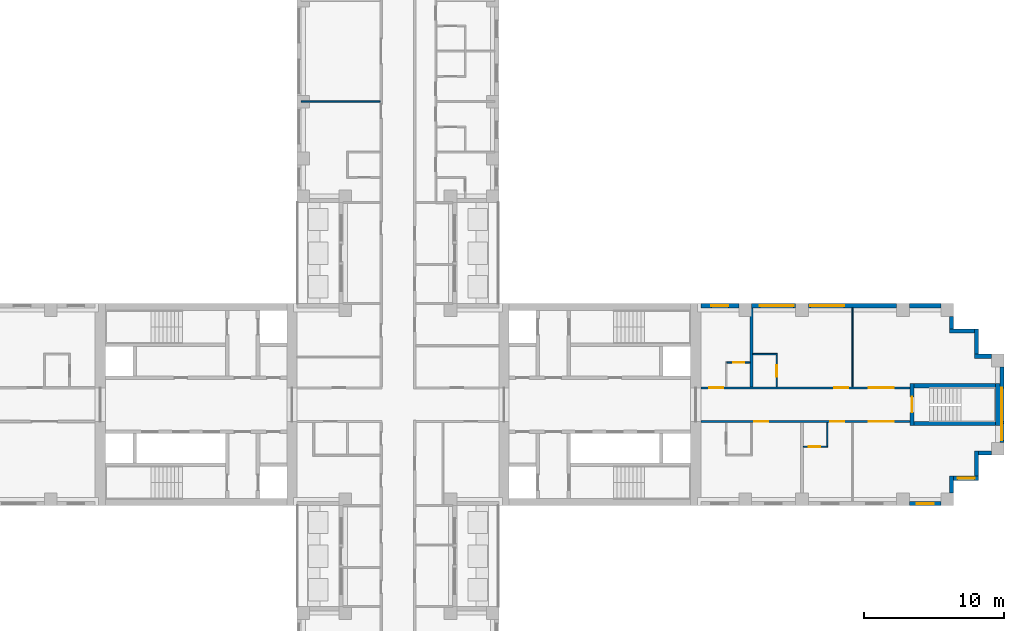
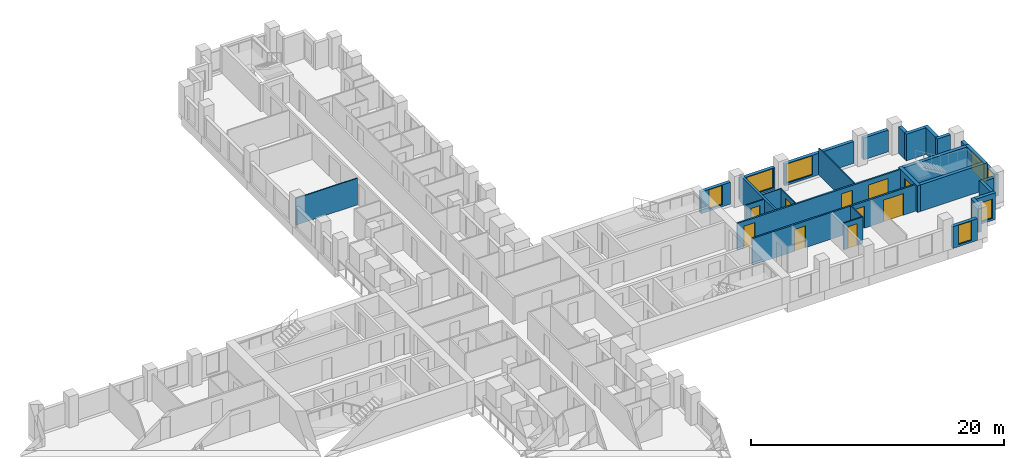
# One storey, part 10 of 15: 28 walls, 10 doors, 7 windows, 17 openings.
"""IFC4 building model written with IfcOpenShell, lengths in metres."""

from ifc_helpers import new_model, si_unit, direction, frame, frame_2d, origin, place, context, subcontext, project, spatial, rectangle, extrude, material, layer, layer_set, type_object, element, fill, save


model = new_model("IFC4")

# Units and contexts
model_context = context("Model", 3, precision=1e-05, world=origin(), true_north=direction((0.0, 1.0)))
body_context = subcontext(model_context, "Body", "Model", "MODEL_VIEW")
ifc_project = project(units=[si_unit("LENGTHUNIT", "METRE"), si_unit("AREAUNIT", "SQUARE_METRE"), si_unit("VOLUMEUNIT", "CUBIC_METRE"), si_unit("PLANEANGLEUNIT", "RADIAN"), si_unit("MASSUNIT", "GRAM", prefix="KILO")], contexts=[model_context])

# Site, building, storey
site_placement = place(None, origin())
site = spatial("IfcSite", under=ifc_project, at=site_placement, CompositionType="ELEMENT")
building_placement = place(site_placement, origin())
building = spatial("IfcBuilding", under=site, at=building_placement, Name="Fustian Cross Tower", CompositionType="ELEMENT")
storey_placement = place(building_placement, frame((0.0, 0.0, 35.699951171875)))
storey = spatial("IfcBuildingStorey", under=building, at=storey_placement, Name="L10", CompositionType="ELEMENT", Elevation=35.699951171875)

# Wall, openings, doors
ifc_material_1 = material(Name="Plasterboard on steel stud", Category="steel")
ifc_layer_1 = layer(ifc_material_1, 0.14990234375)
ifc_layer_set_1 = layer_set([ifc_layer_1], Name="Plasterboard on steel stud")
wall_type_1 = type_object("IfcWallType", Name="COMPARTMENT WALL 150 EI 60", PredefinedType="PARTITIONING", material=ifc_layer_set_1)
wall_1_placement = place(storey_placement, frame((21.60009765625, -1.199951171875, 0.0), z_axis=(0.0, 0.0, 1.0), x_axis=(1.0, 0.0, 0.0)))
wall_1 = element("IfcWall", 1, at=wall_1_placement, inside=storey, type_object=wall_type_1, Name="Partition 80", PredefinedType="PARTITIONING", context=body_context, shape_type="SweptSolid", body=[
    extrude(rectangle(XDim=14.89990234375, YDim=0.14990234375, at=frame_2d((7.449951171875, 0.0))), origin(), (0.0, 0.0, 1.0), 2.574951171875),
])
opening_1_placement = place(wall_1_placement, frame((3.800048828125, 0.0, 0.0)))
opening_1 = element("IfcOpeningElement", 2, at=opening_1_placement, cuts=wall_1, Name="Opening D07016", PredefinedType="OPENING", context=body_context, shape_type="SweptSolid", body=[
    extrude(rectangle(XDim=1.0, YDim=2.10009765625, at=frame_2d((0.5, 1.050048828125))), frame((0.0, 0.0849609375, 0.0), z_axis=(0.0, -1.0, 0.0), x_axis=(1.0, 0.0, 0.0)), (0.0, 0.0, 1.0), 0.169921875),
])
opening_2_placement = place(wall_1_placement, frame((9.199951171875, 0.0, 0.0)))
opening_2 = element("IfcOpeningElement", 3, at=opening_2_placement, cuts=wall_1, Name="Opening D07018", PredefinedType="OPENING", context=body_context, shape_type="SweptSolid", body=[
    extrude(rectangle(XDim=1.0, YDim=2.10009765625, at=frame_2d((0.5, 1.050048828125))), frame((0.0, 0.0849609375, 0.0), z_axis=(0.0, -1.0, 0.0), x_axis=(1.0, 0.0, 0.0)), (0.0, 0.0, 1.0), 0.169921875),
])
opening_3_placement = place(wall_1_placement, frame((11.949951171875, 0.0, 0.0)))
opening_3 = element("IfcOpeningElement", 4, at=opening_3_placement, cuts=wall_1, Name="Opening D07019", PredefinedType="OPENING", context=body_context, shape_type="SweptSolid", body=[
    extrude(rectangle(XDim=1.800048828125, YDim=2.10009765625, at=frame_2d((0.89990234375, 1.050048828125))), frame((0.0, 0.0849609375, 0.0), z_axis=(0.0, -1.0, 0.0), x_axis=(1.0, 0.0, 0.0)), (0.0, 0.0, 1.0), 0.169921875),
])
ifc_material_2 = material(Name="Timber fire door set", Category="wood")
door_type_1 = type_object("IfcDoorType", Name="FIRE DOUBLE DOOR 1800 FD30S", OperationType="DOUBLE_DOOR_DOUBLE_SWING", PredefinedType="DOOR", material=ifc_material_2)
door_1_placement = place(opening_3_placement, origin())
door_1 = element("IfcDoor", 5, at=door_1_placement, inside=storey, type_object=door_type_1, Name="Door D07019", OperationType="DOUBLE_DOOR_DOUBLE_SWING", OverallHeight=2.10009765625, OverallWidth=1.800048828125, PredefinedType="DOOR", context=body_context, shape_type="SweptSolid", body=[
    extrude(rectangle(XDim=1.800048828125, YDim=2.10009765625, at=frame_2d((0.89990234375, 1.050048828125))), frame((0.0, 0.02490234375, 0.0), z_axis=(0.0, -1.0, 0.0), x_axis=(1.0, 0.0, 0.0)), (0.0, 0.0, 1.0), 0.050048828125),
])
fill(opening_3, door_1)
ifc_material_3 = material(Name="Timber fire door set", Category="wood")
door_type_2 = type_object("IfcDoorType", Name="FIRE SWING DOOR 1000 FD30S", OperationType="SINGLE_SWING_LEFT", PredefinedType="DOOR", material=ifc_material_3)
door_2_placement = place(opening_1_placement, frame((1.0, 0.0, 0.0), z_axis=(0.0, 0.0, 1.0), x_axis=(-1.0, 0.0, 0.0)))
door_2 = element("IfcDoor", 6, at=door_2_placement, inside=storey, type_object=door_type_2, Name="Door D07016", OperationType="SINGLE_SWING_RIGHT", OverallHeight=2.10009765625, OverallWidth=1.0, PredefinedType="DOOR", context=body_context, shape_type="SweptSolid", body=[
    extrude(rectangle(XDim=1.0, YDim=2.10009765625, at=frame_2d((0.5, 1.050048828125))), frame((0.0, 0.02490234375, 0.0), z_axis=(0.0, -1.0, 0.0), x_axis=(1.0, 0.0, 0.0)), (0.0, 0.0, 1.0), 0.050048828125),
])
fill(opening_1, door_2)
door_3_placement = place(opening_2_placement, frame((1.0, 0.0, 0.0), z_axis=(0.0, 0.0, 1.0), x_axis=(-1.0, 0.0, 0.0)))
door_3 = element("IfcDoor", 7, at=door_3_placement, inside=storey, type_object=door_type_2, Name="Door D07018", OperationType="SINGLE_SWING_RIGHT", OverallHeight=2.10009765625, OverallWidth=1.0, PredefinedType="DOOR", context=body_context, shape_type="SweptSolid", body=[
    extrude(rectangle(XDim=1.0, YDim=2.10009765625, at=frame_2d((0.5, 1.050048828125))), frame((0.0, 0.02490234375, 0.0), z_axis=(0.0, -1.0, 0.0), x_axis=(1.0, 0.0, 0.0)), (0.0, 0.0, 1.0), 0.050048828125),
])
fill(opening_2, door_3)

wall_2_placement = place(storey_placement, frame((21.60009765625, 1.199951171875, 0.0), z_axis=(0.0, 0.0, 1.0), x_axis=(1.0, 0.0, 0.0)))
wall_2 = element("IfcWall", 8, at=wall_2_placement, inside=storey, type_object=wall_type_1, Name="Partition 81", PredefinedType="PARTITIONING", context=body_context, shape_type="SweptSolid", body=[
    extrude(rectangle(XDim=14.89990234375, YDim=0.14990234375, at=frame_2d((7.449951171875, 0.0))), origin(), (0.0, 0.0, 1.0), 2.574951171875),
])
opening_4_placement = place(wall_2_placement, frame((0.60009765625, 0.0, 0.0)))
opening_4 = element("IfcOpeningElement", 9, at=opening_4_placement, cuts=wall_2, Name="Opening D07011", PredefinedType="OPENING", context=body_context, shape_type="SweptSolid", body=[
    extrude(rectangle(XDim=1.0, YDim=2.10009765625, at=frame_2d((0.5, 1.050048828125))), frame((0.0, 0.0849609375, 0.0), z_axis=(0.0, -1.0, 0.0), x_axis=(1.0, 0.0, 0.0)), (0.0, 0.0, 1.0), 0.169921875),
])
opening_5_placement = place(wall_2_placement, frame((9.489990234375, 0.0, 0.0)))
opening_5 = element("IfcOpeningElement", 10, at=opening_5_placement, cuts=wall_2, Name="Opening D07013", PredefinedType="OPENING", context=body_context, shape_type="SweptSolid", body=[
    extrude(rectangle(XDim=1.0, YDim=2.10009765625, at=frame_2d((0.5, 1.050048828125))), frame((0.0, 0.0849609375, 0.0), z_axis=(0.0, -1.0, 0.0), x_axis=(1.0, 0.0, 0.0)), (0.0, 0.0, 1.0), 0.169921875),
])
opening_6_placement = place(wall_2_placement, frame((11.949951171875, 0.0, 0.0)))
opening_6 = element("IfcOpeningElement", 11, at=opening_6_placement, cuts=wall_2, Name="Opening D07014", PredefinedType="OPENING", context=body_context, shape_type="SweptSolid", body=[
    extrude(rectangle(XDim=1.800048828125, YDim=2.10009765625, at=frame_2d((0.89990234375, 1.050048828125))), frame((0.0, 0.0849609375, 0.0), z_axis=(0.0, -1.0, 0.0), x_axis=(1.0, 0.0, 0.0)), (0.0, 0.0, 1.0), 0.169921875),
])
door_4_placement = place(opening_6_placement, frame((1.800048828125, 0.0, 0.0), z_axis=(0.0, 0.0, 1.0), x_axis=(-1.0, 0.0, 0.0)))
door_4 = element("IfcDoor", 12, at=door_4_placement, inside=storey, type_object=door_type_1, Name="Door D07014", OperationType="DOUBLE_DOOR_DOUBLE_SWING", OverallHeight=2.10009765625, OverallWidth=1.800048828125, PredefinedType="DOOR", context=body_context, shape_type="SweptSolid", body=[
    extrude(rectangle(XDim=1.800048828125, YDim=2.10009765625, at=frame_2d((0.89990234375, 1.050048828125))), frame((0.0, 0.02490234375, 0.0), z_axis=(0.0, -1.0, 0.0), x_axis=(1.0, 0.0, 0.0)), (0.0, 0.0, 1.0), 0.050048828125),
])
fill(opening_6, door_4)
door_5_placement = place(opening_4_placement, origin())
door_5 = element("IfcDoor", 13, at=door_5_placement, inside=storey, type_object=door_type_2, Name="Door D07011", OperationType="SINGLE_SWING_RIGHT", OverallHeight=2.10009765625, OverallWidth=1.0, PredefinedType="DOOR", context=body_context, shape_type="SweptSolid", body=[
    extrude(rectangle(XDim=1.0, YDim=2.10009765625, at=frame_2d((0.5, 1.050048828125))), frame((0.0, 0.02490234375, 0.0), z_axis=(0.0, -1.0, 0.0), x_axis=(1.0, 0.0, 0.0)), (0.0, 0.0, 1.0), 0.050048828125),
])
fill(opening_4, door_5)
door_6_placement = place(opening_5_placement, origin())
door_6 = element("IfcDoor", 14, at=door_6_placement, inside=storey, type_object=door_type_2, Name="Door D07013", OperationType="SINGLE_SWING_RIGHT", OverallHeight=2.10009765625, OverallWidth=1.0, PredefinedType="DOOR", context=body_context, shape_type="SweptSolid", body=[
    extrude(rectangle(XDim=1.0, YDim=2.10009765625, at=frame_2d((0.5, 1.050048828125))), frame((0.0, 0.02490234375, 0.0), z_axis=(0.0, -1.0, 0.0), x_axis=(1.0, 0.0, 0.0)), (0.0, 0.0, 1.0), 0.050048828125),
])
fill(opening_5, door_6)

# Wall
ifc_material_4 = material(Name="Plasterboard on steel stud", Category="steel")
ifc_layer_2 = layer(ifc_material_4, 0.10009765625)
ifc_layer_set_2 = layer_set([ifc_layer_2], Name="Plasterboard on steel stud")
wall_type_2 = type_object("IfcWallType", Name="PARTITION 100 STUD", PredefinedType="PARTITIONING", material=ifc_layer_set_2)
wall_3_placement = place(storey_placement, frame((-6.89990234375, 21.60009765625, 0.0), z_axis=(0.0, 0.0, 1.0), x_axis=(1.0, 0.0, 0.0)))
element("IfcWall", 15, at=wall_3_placement, inside=storey, type_object=wall_type_2, Name="Partition 19", PredefinedType="PARTITIONING", context=body_context, shape_type="SweptSolid", body=[
    extrude(rectangle(XDim=5.625, YDim=0.10009765625, at=frame_2d((2.8125, 0.0))), origin(), (0.0, 0.0, 1.0), 2.574951171875),
])

# Wall, opening, door
wall_4_placement = place(storey_placement, frame((23.449951171875, 3.0, 0.0), z_axis=(0.0, 0.0, 1.0), x_axis=(1.0, 0.0, 0.0)))
wall_4 = element("IfcWall", 16, at=wall_4_placement, inside=storey, type_object=wall_type_2, Name="Partition 85", PredefinedType="PARTITIONING", context=body_context, shape_type="SweptSolid", body=[
    extrude(rectangle(XDim=1.650146484375, YDim=0.10009765625, at=frame_2d((0.8251953125, 0.0))), origin(), (0.0, 0.0, 1.0), 2.574951171875),
])
opening_7_placement = place(wall_4_placement, frame((0.449951171875, 0.0, 0.0)))
opening_7 = element("IfcOpeningElement", 17, at=opening_7_placement, cuts=wall_4, Name="Opening D07010", PredefinedType="OPENING", context=body_context, shape_type="SweptSolid", body=[
    extrude(rectangle(XDim=0.800048828125, YDim=2.10009765625, at=frame_2d((0.39990234375, 1.050048828125))), frame((0.0, 0.06005859375, 0.0), z_axis=(0.0, -1.0, 0.0), x_axis=(1.0, 0.0, 0.0)), (0.0, 0.0, 1.0), 0.1201171875),
])
ifc_material_5 = material(Name="Painted timber", Category="wood")
door_type_3 = type_object("IfcDoorType", Name="SWING DOOR 800", OperationType="SINGLE_SWING_LEFT", PredefinedType="DOOR", material=ifc_material_5)
door_7_placement = place(opening_7_placement, frame((0.800048828125, 0.0, 0.0), z_axis=(0.0, 0.0, 1.0), x_axis=(-1.0, 0.0, 0.0)))
door_7 = element("IfcDoor", 18, at=door_7_placement, inside=storey, type_object=door_type_3, Name="Door D07010", OperationType="SINGLE_SWING_LEFT", OverallHeight=2.10009765625, OverallWidth=0.800048828125, PredefinedType="DOOR", context=body_context, shape_type="SweptSolid", body=[
    extrude(rectangle(XDim=0.800048828125, YDim=2.10009765625, at=frame_2d((0.39990234375, 1.050048828125))), frame((0.0, 0.02490234375, 0.0), z_axis=(0.0, -1.0, 0.0), x_axis=(1.0, 0.0, 0.0)), (0.0, 0.0, 1.0), 0.050048828125),
])
fill(opening_7, door_7)

# Wall
wall_5_placement = place(storey_placement, frame((25.300048828125, 3.60009765625, 0.0), z_axis=(0.0, 0.0, 1.0), x_axis=(1.0, 0.0, 0.0)))
element("IfcWall", 19, at=wall_5_placement, inside=storey, type_object=wall_type_2, Name="Partition 88", PredefinedType="PARTITIONING", context=body_context, shape_type="SweptSolid", body=[
    extrude(rectangle(XDim=1.75, YDim=0.10009765625, at=frame_2d((0.875, 0.0))), origin(), (0.0, 0.0, 1.0), 2.574951171875),
])

# Wall, opening, door
wall_6_placement = place(storey_placement, frame((27.0, 1.27490234375, 0.0), z_axis=(0.0, 0.0, 1.0), x_axis=(0.0, 1.0, 0.0)))
wall_6 = element("IfcWall", 20, at=wall_6_placement, inside=storey, type_object=wall_type_2, Name="Partition 89", PredefinedType="PARTITIONING", context=body_context, shape_type="SweptSolid", body=[
    extrude(rectangle(XDim=2.275146484375, YDim=0.10009765625, at=frame_2d((1.1376953125, 0.0))), origin(), (0.0, 0.0, 1.0), 2.574951171875),
])
opening_8_placement = place(wall_6_placement, frame((0.72509765625, 0.0, 0.0)))
opening_8 = element("IfcOpeningElement", 21, at=opening_8_placement, cuts=wall_6, Name="Opening D07012", PredefinedType="OPENING", context=body_context, shape_type="SweptSolid", body=[
    extrude(rectangle(XDim=0.800048828125, YDim=2.10009765625, at=frame_2d((0.39990234375, 1.050048828125))), frame((0.0, 0.06005859375, 0.0), z_axis=(0.0, -1.0, 0.0), x_axis=(1.0, 0.0, 0.0)), (0.0, 0.0, 1.0), 0.1201171875),
])
door_8_placement = place(opening_8_placement, origin())
door_8 = element("IfcDoor", 22, at=door_8_placement, inside=storey, type_object=door_type_3, Name="Door D07012", OperationType="SINGLE_SWING_LEFT", OverallHeight=2.10009765625, OverallWidth=0.800048828125, PredefinedType="DOOR", context=body_context, shape_type="SweptSolid", body=[
    extrude(rectangle(XDim=0.800048828125, YDim=2.10009765625, at=frame_2d((0.39990234375, 1.050048828125))), frame((0.0, 0.02490234375, 0.0), z_axis=(0.0, -1.0, 0.0), x_axis=(1.0, 0.0, 0.0)), (0.0, 0.0, 1.0), 0.050048828125),
])
fill(opening_8, door_8)

wall_7_placement = place(storey_placement, frame((28.89990234375, -3.0, 0.0), z_axis=(0.0, 0.0, 1.0), x_axis=(1.0, 0.0, 0.0)))
wall_7 = element("IfcWall", 23, at=wall_7_placement, inside=storey, type_object=wall_type_2, Name="Partition 91", PredefinedType="PARTITIONING", context=body_context, shape_type="SweptSolid", body=[
    extrude(rectangle(XDim=1.75, YDim=0.10009765625, at=frame_2d((0.875, 0.0))), origin(), (0.0, 0.0, 1.0), 2.574951171875),
])
opening_9_placement = place(wall_7_placement, frame((0.39990234375, 0.0, 0.0)))
opening_9 = element("IfcOpeningElement", 24, at=opening_9_placement, cuts=wall_7, Name="Opening D07017", PredefinedType="OPENING", context=body_context, shape_type="SweptSolid", body=[
    extrude(rectangle(XDim=0.800048828125, YDim=2.10009765625, at=frame_2d((0.39990234375, 1.050048828125))), frame((0.0, 0.06005859375, 0.0), z_axis=(0.0, -1.0, 0.0), x_axis=(1.0, 0.0, 0.0)), (0.0, 0.0, 1.0), 0.1201171875),
])
door_9_placement = place(opening_9_placement, origin())
door_9 = element("IfcDoor", 25, at=door_9_placement, inside=storey, type_object=door_type_3, Name="Door D07017", OperationType="SINGLE_SWING_RIGHT", OverallHeight=2.10009765625, OverallWidth=0.800048828125, PredefinedType="DOOR", context=body_context, shape_type="SweptSolid", body=[
    extrude(rectangle(XDim=0.800048828125, YDim=2.10009765625, at=frame_2d((0.39990234375, 1.050048828125))), frame((0.0, 0.02490234375, 0.0), z_axis=(0.0, -1.0, 0.0), x_axis=(1.0, 0.0, 0.0)), (0.0, 0.0, 1.0), 0.050048828125),
])
fill(opening_9, door_9)

# Walls
wall_8_placement = place(storey_placement, frame((30.60009765625, -2.949951171875, 0.0), z_axis=(0.0, 0.0, 1.0), x_axis=(0.0, 1.0, 0.0)))
element("IfcWall", 26, at=wall_8_placement, inside=storey, type_object=wall_type_2, Name="Partition 92", PredefinedType="PARTITIONING", context=body_context, shape_type="SweptSolid", body=[
    extrude(rectangle(XDim=1.675048828125, YDim=0.10009765625, at=frame_2d((0.83740234375, 0.0))), origin(), (0.0, 0.0, 1.0), 2.574951171875),
])
wall_9_placement = place(storey_placement, frame((32.39990234375, 1.27490234375, 0.0), z_axis=(0.0, 0.0, 1.0), x_axis=(0.0, 1.0, 0.0)))
element("IfcWall", 27, at=wall_9_placement, inside=storey, type_object=wall_type_2, Name="Partition 94", PredefinedType="PARTITIONING", context=body_context, shape_type="SweptSolid", body=[
    extrude(rectangle(XDim=5.625, YDim=0.10009765625, at=frame_2d((2.8125, 0.0))), origin(), (0.0, 0.0, 1.0), 2.574951171875),
])
ifc_material_6 = material(Name="Plasterboard on steel stud", Category="steel")
ifc_layer_3 = layer(ifc_material_6, 0.199951171875)
ifc_layer_set_3 = layer_set([ifc_layer_3], Name="Plasterboard on steel stud")
wall_type_3 = type_object("IfcWallType", Name="PARTY WALL 200 EI 60", PredefinedType="PARTITIONING", material=ifc_layer_set_3)
wall_10_placement = place(storey_placement, frame((25.199951171875, 1.27490234375, 0.0), z_axis=(0.0, 0.0, 1.0), x_axis=(0.0, 1.0, 0.0)))
element("IfcWall", 28, at=wall_10_placement, inside=storey, type_object=wall_type_3, Name="Partition 87", PredefinedType="PARTITIONING", context=body_context, shape_type="SweptSolid", body=[
    extrude(rectangle(XDim=5.625, YDim=0.199951171875, at=frame_2d((2.8125, 0.0))), origin(), (0.0, 0.0, 1.0), 2.574951171875),
])

# Wall, opening, door
ifc_material_7 = material(Name="Concrete C50/60", Category="concrete")
ifc_layer_4 = layer(ifc_material_7, 0.300048828125)
ifc_layer_set_4 = layer_set([ifc_layer_4], Name="Concrete C50/60")
wall_type_4 = type_object("IfcWallType", Name="STAIR ENCLOSURE WALL 300 C50/60", PredefinedType="SHEAR", material=ifc_layer_set_4)
wall_11_placement = place(storey_placement, frame((36.64990234375, -1.5, 0.0), z_axis=(0.0, 0.0, 1.0), x_axis=(0.0, 1.0, 0.0)))
wall_11 = element("IfcWall", 29, at=wall_11_placement, inside=storey, type_object=wall_type_4, Name="Stair enclosure wall", PredefinedType="SHEAR", context=body_context, shape_type="SweptSolid", body=[
    extrude(rectangle(XDim=3.0, YDim=0.300048828125, at=frame_2d((1.5, 0.0))), origin(), (0.0, 0.0, 1.0), 2.574951171875),
])
opening_10_placement = place(wall_11_placement, frame((0.949951171875, 0.0, 0.0)))
opening_10 = element("IfcOpeningElement", 30, at=opening_10_placement, cuts=wall_11, Name="Opening CD-04-31", PredefinedType="OPENING", context=body_context, shape_type="SweptSolid", body=[
    extrude(rectangle(XDim=1.10009765625, YDim=2.10009765625, at=frame_2d((0.550048828125, 1.050048828125))), frame((0.0, 0.159912109375, 0.0), z_axis=(0.0, -1.0, 0.0), x_axis=(1.0, 0.0, 0.0)), (0.0, 0.0, 1.0), 0.320068359375),
])
ifc_material_8 = material(Name="Steel", Category="steel")
door_type_4 = type_object("IfcDoorType", Name="FIRE DOOR FD60S 1100X2100", OperationType="SINGLE_SWING_LEFT", PredefinedType="DOOR", material=ifc_material_8)
door_10_placement = place(opening_10_placement, frame((1.10009765625, 0.0, 0.0), z_axis=(0.0, 0.0, 1.0), x_axis=(-1.0, 0.0, 0.0)))
door_10 = element("IfcDoor", 31, at=door_10_placement, inside=storey, type_object=door_type_4, Name="Core door CD-04-31", OperationType="SINGLE_SWING_RIGHT", OverallHeight=2.10009765625, OverallWidth=1.10009765625, PredefinedType="DOOR", context=body_context, shape_type="SweptSolid", body=[
    extrude(rectangle(XDim=1.10009765625, YDim=2.10009765625, at=frame_2d((0.550048828125, 1.050048828125))), frame((0.0, 0.02490234375, 0.0), z_axis=(0.0, -1.0, 0.0), x_axis=(1.0, 0.0, 0.0)), (0.0, 0.0, 1.0), 0.050048828125),
])
fill(opening_10, door_10)

# Walls
wall_12_placement = place(storey_placement, frame((42.75, -1.5, 0.0), z_axis=(0.0, 0.0, 1.0), x_axis=(0.0, 1.0, 0.0)))
element("IfcWall", 32, at=wall_12_placement, inside=storey, type_object=wall_type_4, Name="Stair enclosure wall", PredefinedType="SHEAR", context=body_context, shape_type="SweptSolid", body=[
    extrude(rectangle(XDim=3.0, YDim=0.300048828125, at=frame_2d((1.5, 0.0))), origin(), (0.0, 0.0, 1.0), 2.574951171875),
])
for number, where, z_axis, x_axis, name in (
    (33, (36.800048828125, -1.35009765625, 0.0), (0.0, 0.0, 1.0), (1.0, 0.0, 0.0), "Stair enclosure wall"),
    (34, (36.800048828125, 1.35009765625, 0.0), (0.0, 0.0, 1.0), (1.0, 0.0, 0.0), "Stair enclosure wall"),
):
    element("IfcWall", number, at=place(storey_placement, frame(where, z_axis=z_axis, x_axis=x_axis)), inside=storey, type_object=wall_type_4, Name=name, PredefinedType="SHEAR", context=body_context, shape_type="SweptSolid", body=[
        extrude(rectangle(XDim=5.800048828125, YDim=0.300048828125, at=frame_2d((2.89990234375, 0.0))), origin(), (0.0, 0.0, 1.0), 2.574951171875),
    ])

# Wall, opening, window
ifc_material_9 = material(Name="Dark aluminium cladding on insulated backing wall", Category="aluminium")
ifc_layer_5 = layer(ifc_material_9, 0.300048828125)
ifc_layer_set_5 = layer_set([ifc_layer_5], Name="Dark aluminium cladding on insulated backing wall")
wall_type_5 = type_object("IfcWallType", Name="XW1 EXTERNAL WALL 300", PredefinedType="SOLIDWALL", material=ifc_layer_set_5)
wall_13_placement = place(storey_placement, frame((36.449951171875, -7.050048828125, 0.0), z_axis=(0.0, 0.0, 1.0), x_axis=(1.0, 0.0, 0.0)))
wall_13 = element("IfcWall", 35, at=wall_13_placement, inside=storey, type_object=wall_type_5, Name="External wall", PredefinedType="SOLIDWALL", context=body_context, shape_type="SweptSolid", body=[
    extrude(rectangle(XDim=2.25, YDim=0.300048828125, at=frame_2d((1.125, 0.0))), origin(), (0.0, 0.0, 1.0), 2.10009765625),
])
opening_11_placement = place(wall_13_placement, frame((0.52490234375, 0.0, 0.199951171875)))
opening_11 = element("IfcOpeningElement", 36, at=opening_11_placement, cuts=wall_13, Name="Opening WN3", PredefinedType="OPENING", context=body_context, shape_type="SweptSolid", body=[
    extrude(rectangle(XDim=1.199951171875, YDim=1.85009765625, at=frame_2d((0.60009765625, 0.925048828125))), frame((0.0, 0.159912109375, 0.0), z_axis=(0.0, -1.0, 0.0), x_axis=(1.0, 0.0, 0.0)), (0.0, 0.0, 1.0), 0.320068359375),
])
ifc_material_10 = material(Name="Dark anodised aluminium and double glazing", Category="aluminium")
window_type_1 = type_object("IfcWindowType", Name="WN3 WINDOW 1200X1850", PartitioningType="SINGLE_PANEL", PredefinedType="WINDOW", material=ifc_material_10)
window_1_placement = place(opening_11_placement, origin())
window_1 = element("IfcWindow", 37, at=window_1_placement, inside=storey, type_object=window_type_1, Name="Window", OverallHeight=1.85009765625, OverallWidth=1.199951171875, PartitioningType="SINGLE_PANEL", PredefinedType="WINDOW", context=body_context, shape_type="SweptSolid", body=[
    extrude(rectangle(XDim=1.199951171875, YDim=1.85009765625, at=frame_2d((0.60009765625, 0.925048828125))), frame((0.0, 0.030029296875, 0.0), z_axis=(0.0, -1.0, 0.0), x_axis=(1.0, 0.0, 0.0)), (0.0, 0.0, 1.0), 0.06005859375),
])
fill(opening_11, window_1)

# Wall
wall_14_placement = place(storey_placement, frame((39.449951171875, -6.300048828125, 0.0), z_axis=(0.0, 0.0, 1.0), x_axis=(0.0, 1.0, 0.0)))
element("IfcWall", 38, at=wall_14_placement, inside=storey, type_object=wall_type_5, Name="External wall", PredefinedType="SOLIDWALL", context=body_context, shape_type="SweptSolid", body=[
    extrude(rectangle(XDim=1.199951171875, YDim=0.300048828125, at=frame_2d((0.60009765625, 0.0))), origin(), (0.0, 0.0, 1.0), 2.574951171875),
])

# Wall, opening, window
wall_15_placement = place(storey_placement, frame((39.60009765625, -5.25, 0.0), z_axis=(0.0, 0.0, 1.0), x_axis=(1.0, 0.0, 0.0)))
wall_15 = element("IfcWall", 39, at=wall_15_placement, inside=storey, type_object=wall_type_5, Name="External wall", PredefinedType="SOLIDWALL", context=body_context, shape_type="SweptSolid", body=[
    extrude(rectangle(XDim=1.7998046875, YDim=0.300048828125, at=frame_2d((0.89990234375, 0.0))), origin(), (0.0, 0.0, 1.0), 2.574951171875),
])
opening_12_placement = place(wall_15_placement, frame((0.300048828125, 0.0, 0.199951171875)))
opening_12 = element("IfcOpeningElement", 40, at=opening_12_placement, cuts=wall_15, Name="Opening WN3", PredefinedType="OPENING", context=body_context, shape_type="SweptSolid", body=[
    extrude(rectangle(XDim=1.199951171875, YDim=1.85009765625, at=frame_2d((0.60009765625, 0.925048828125))), frame((0.0, 0.159912109375, 0.0), z_axis=(0.0, -1.0, 0.0), x_axis=(1.0, 0.0, 0.0)), (0.0, 0.0, 1.0), 0.320068359375),
])
window_2_placement = place(opening_12_placement, origin())
window_2 = element("IfcWindow", 41, at=window_2_placement, inside=storey, type_object=window_type_1, Name="Window", OverallHeight=1.85009765625, OverallWidth=1.199951171875, PartitioningType="SINGLE_PANEL", PredefinedType="WINDOW", context=body_context, shape_type="SweptSolid", body=[
    extrude(rectangle(XDim=1.199951171875, YDim=1.85009765625, at=frame_2d((0.60009765625, 0.925048828125))), frame((0.0, 0.030029296875, 0.0), z_axis=(0.0, -1.0, 0.0), x_axis=(1.0, 0.0, 0.0)), (0.0, 0.0, 1.0), 0.06005859375),
])
fill(opening_12, window_2)

# Walls
wall_16_placement = place(storey_placement, frame((41.25, -5.10009765625, 0.0), z_axis=(0.0, 0.0, 1.0), x_axis=(0.0, 1.0, 0.0)))
element("IfcWall", 42, at=wall_16_placement, inside=storey, type_object=wall_type_5, Name="External wall", PredefinedType="SOLIDWALL", context=body_context, shape_type="SweptSolid", body=[
    extrude(rectangle(XDim=1.800048828125, YDim=0.300048828125, at=frame_2d((0.89990234375, 0.0))), origin(), (0.0, 0.0, 1.0), 2.574951171875),
])
wall_17_placement = place(storey_placement, frame((41.39990234375, -3.449951171875, 0.0), z_axis=(0.0, 0.0, 1.0), x_axis=(1.0, 0.0, 0.0)))
element("IfcWall", 43, at=wall_17_placement, inside=storey, type_object=wall_type_5, Name="External wall", PredefinedType="SOLIDWALL", context=body_context, shape_type="SweptSolid", body=[
    extrude(rectangle(XDim=0.900146484375, YDim=0.300048828125, at=frame_2d((0.4501953125, 0.0))), origin(), (0.0, 0.0, 1.0), 2.574951171875),
])

# Wall, openings, windows
wall_18_placement = place(storey_placement, frame((43.050048828125, -2.699951171875, 0.0), z_axis=(0.0, 0.0, 1.0), x_axis=(0.0, 1.0, 0.0)))
wall_18 = element("IfcWall", 44, at=wall_18_placement, inside=storey, type_object=wall_type_5, Name="External wall", PredefinedType="SOLIDWALL", context=body_context, shape_type="SweptSolid", body=[
    extrude(rectangle(XDim=5.39990234375, YDim=0.300048828125, at=frame_2d((2.699951171875, 0.0))), origin(), (0.0, 0.0, 1.0), 2.10009765625),
])
opening_13_placement = place(wall_18_placement, frame((1.5, 0.0, 0.199951171875)))
opening_13 = element("IfcOpeningElement", 45, at=opening_13_placement, cuts=wall_18, Name="Opening WN1", PredefinedType="OPENING", context=body_context, shape_type="SweptSolid", body=[
    extrude(rectangle(XDim=2.39990234375, YDim=1.85009765625, at=frame_2d((1.199951171875, 0.925048828125))), frame((0.0, 0.159912109375, 0.0), z_axis=(0.0, -1.0, 0.0), x_axis=(1.0, 0.0, 0.0)), (0.0, 0.0, 1.0), 0.320068359375),
])
opening_14_placement = place(wall_18_placement, frame((0.14990234375, 0.0, 0.199951171875)))
opening_14 = element("IfcOpeningElement", 46, at=opening_14_placement, cuts=wall_18, Name="Opening WN3", PredefinedType="OPENING", context=body_context, shape_type="SweptSolid", body=[
    extrude(rectangle(XDim=1.199951171875, YDim=1.85009765625, at=frame_2d((0.60009765625, 0.925048828125))), frame((0.0, 0.159912109375, 0.0), z_axis=(0.0, -1.0, 0.0), x_axis=(1.0, 0.0, 0.0)), (0.0, 0.0, 1.0), 0.320068359375),
])
ifc_material_11 = material(Name="Dark anodised aluminium and double glazing", Category="aluminium")
window_type_2 = type_object("IfcWindowType", Name="WN1 WINDOW 2400X1850", PartitioningType="SINGLE_PANEL", PredefinedType="WINDOW", material=ifc_material_11)
window_3_placement = place(opening_13_placement, origin())
window_3 = element("IfcWindow", 47, at=window_3_placement, inside=storey, type_object=window_type_2, Name="Window", OverallHeight=1.85009765625, OverallWidth=2.39990234375, PartitioningType="SINGLE_PANEL", PredefinedType="WINDOW", context=body_context, shape_type="SweptSolid", body=[
    extrude(rectangle(XDim=2.39990234375, YDim=1.85009765625, at=frame_2d((1.199951171875, 0.925048828125))), frame((0.0, 0.030029296875, 0.0), z_axis=(0.0, -1.0, 0.0), x_axis=(1.0, 0.0, 0.0)), (0.0, 0.0, 1.0), 0.06005859375),
])
fill(opening_13, window_3)
window_4_placement = place(opening_14_placement, origin())
window_4 = element("IfcWindow", 48, at=window_4_placement, inside=storey, type_object=window_type_1, Name="Window", OverallHeight=1.85009765625, OverallWidth=1.199951171875, PartitioningType="SINGLE_PANEL", PredefinedType="WINDOW", context=body_context, shape_type="SweptSolid", body=[
    extrude(rectangle(XDim=1.199951171875, YDim=1.85009765625, at=frame_2d((0.60009765625, 0.925048828125))), frame((0.0, 0.030029296875, 0.0), z_axis=(0.0, -1.0, 0.0), x_axis=(1.0, 0.0, 0.0)), (0.0, 0.0, 1.0), 0.06005859375),
])
fill(opening_14, window_4)

# Walls
wall_19_placement = place(storey_placement, frame((42.300048828125, 3.449951171875, 0.0), z_axis=(0.0, 0.0, 1.0), x_axis=(-1.0, 0.0, 0.0)))
element("IfcWall", 49, at=wall_19_placement, inside=storey, type_object=wall_type_5, Name="External wall", PredefinedType="SOLIDWALL", context=body_context, shape_type="SweptSolid", body=[
    extrude(rectangle(XDim=1.199951171875, YDim=0.300048828125, at=frame_2d((0.60009765625, 0.0))), origin(), (0.0, 0.0, 1.0), 2.574951171875),
])
wall_20_placement = place(storey_placement, frame((41.25, 3.60009765625, 0.0), z_axis=(0.0, 0.0, 1.0), x_axis=(0.0, 1.0, 0.0)))
element("IfcWall", 50, at=wall_20_placement, inside=storey, type_object=wall_type_5, Name="External wall", PredefinedType="SOLIDWALL", context=body_context, shape_type="SweptSolid", body=[
    extrude(rectangle(XDim=1.7998046875, YDim=0.300048828125, at=frame_2d((0.89990234375, 0.0))), origin(), (0.0, 0.0, 1.0), 2.574951171875),
])
wall_21_placement = place(storey_placement, frame((41.10009765625, 5.25, 0.0), z_axis=(0.0, 0.0, 1.0), x_axis=(-1.0, 0.0, 0.0)))
element("IfcWall", 51, at=wall_21_placement, inside=storey, type_object=wall_type_5, Name="External wall", PredefinedType="SOLIDWALL", context=body_context, shape_type="SweptSolid", body=[
    extrude(rectangle(XDim=1.800048828125, YDim=0.300048828125, at=frame_2d((0.89990234375, 0.0))), origin(), (0.0, 0.0, 1.0), 2.574951171875),
])
wall_22_placement = place(storey_placement, frame((39.449951171875, 5.39990234375, 0.0), z_axis=(0.0, 0.0, 1.0), x_axis=(0.0, 1.0, 0.0)))
element("IfcWall", 52, at=wall_22_placement, inside=storey, type_object=wall_type_5, Name="External wall", PredefinedType="SOLIDWALL", context=body_context, shape_type="SweptSolid", body=[
    extrude(rectangle(XDim=0.900146484375, YDim=0.300048828125, at=frame_2d((0.4501953125, 0.0))), origin(), (0.0, 0.0, 1.0), 2.574951171875),
])
wall_23_placement = place(storey_placement, frame((38.699951171875, 7.050048828125, 0.0), z_axis=(0.0, 0.0, 1.0), x_axis=(-1.0, 0.0, 0.0)))
element("IfcWall", 53, at=wall_23_placement, inside=storey, type_object=wall_type_5, Name="External wall", PredefinedType="SOLIDWALL", context=body_context, shape_type="SweptSolid", body=[
    extrude(rectangle(XDim=2.25, YDim=0.300048828125, at=frame_2d((1.125, 0.0))), origin(), (0.0, 0.0, 1.0), 2.10009765625),
])

# Wall, opening, window
wall_24_placement = place(storey_placement, frame((35.550048828125, 7.050048828125, 0.0), z_axis=(0.0, 0.0, 1.0), x_axis=(-1.0, 0.0, 0.0)))
wall_24 = element("IfcWall", 54, at=wall_24_placement, inside=storey, type_object=wall_type_5, Name="External wall", PredefinedType="SOLIDWALL", context=body_context, shape_type="SweptSolid", body=[
    extrude(rectangle(XDim=6.300048828125, YDim=0.300048828125, at=frame_2d((3.14990234375, 0.0))), origin(), (0.0, 0.0, 1.0), 2.10009765625),
])
opening_15_placement = place(wall_24_placement, frame((3.75, 0.0, 0.199951171875)))
opening_15 = element("IfcOpeningElement", 55, at=opening_15_placement, cuts=wall_24, Name="Opening WN1", PredefinedType="OPENING", context=body_context, shape_type="SweptSolid", body=[
    extrude(rectangle(XDim=2.39990234375, YDim=1.85009765625, at=frame_2d((1.199951171875, 0.925048828125))), frame((0.0, 0.159912109375, 0.0), z_axis=(0.0, -1.0, 0.0), x_axis=(1.0, 0.0, 0.0)), (0.0, 0.0, 1.0), 0.320068359375),
])
window_5_placement = place(opening_15_placement, origin())
window_5 = element("IfcWindow", 56, at=window_5_placement, inside=storey, type_object=window_type_2, Name="Window", OverallHeight=1.85009765625, OverallWidth=2.39990234375, PartitioningType="SINGLE_PANEL", PredefinedType="WINDOW", context=body_context, shape_type="SweptSolid", body=[
    extrude(rectangle(XDim=2.39990234375, YDim=1.85009765625, at=frame_2d((1.199951171875, 0.925048828125))), frame((0.0, 0.030029296875, 0.0), z_axis=(0.0, -1.0, 0.0), x_axis=(1.0, 0.0, 0.0)), (0.0, 0.0, 1.0), 0.06005859375),
])
fill(opening_15, window_5)

wall_25_placement = place(storey_placement, frame((28.35009765625, 7.050048828125, 0.0), z_axis=(0.0, 0.0, 1.0), x_axis=(-1.0, 0.0, 0.0)))
wall_25 = element("IfcWall", 57, at=wall_25_placement, inside=storey, type_object=wall_type_5, Name="External wall", PredefinedType="SOLIDWALL", context=body_context, shape_type="SweptSolid", body=[
    extrude(rectangle(XDim=3.150146484375, YDim=0.300048828125, at=frame_2d((1.5751953125, 0.0))), origin(), (0.0, 0.0, 1.0), 2.10009765625),
])
opening_16_placement = place(wall_25_placement, frame((0.14990234375, 0.0, 0.199951171875)))
opening_16 = element("IfcOpeningElement", 58, at=opening_16_placement, cuts=wall_25, Name="Opening WN1", PredefinedType="OPENING", context=body_context, shape_type="SweptSolid", body=[
    extrude(rectangle(XDim=2.39990234375, YDim=1.85009765625, at=frame_2d((1.199951171875, 0.925048828125))), frame((0.0, 0.159912109375, 0.0), z_axis=(0.0, -1.0, 0.0), x_axis=(1.0, 0.0, 0.0)), (0.0, 0.0, 1.0), 0.320068359375),
])
window_6_placement = place(opening_16_placement, origin())
window_6 = element("IfcWindow", 59, at=window_6_placement, inside=storey, type_object=window_type_2, Name="Window", OverallHeight=1.85009765625, OverallWidth=2.39990234375, PartitioningType="SINGLE_PANEL", PredefinedType="WINDOW", context=body_context, shape_type="SweptSolid", body=[
    extrude(rectangle(XDim=2.39990234375, YDim=1.85009765625, at=frame_2d((1.199951171875, 0.925048828125))), frame((0.0, 0.030029296875, 0.0), z_axis=(0.0, -1.0, 0.0), x_axis=(1.0, 0.0, 0.0)), (0.0, 0.0, 1.0), 0.06005859375),
])
fill(opening_16, window_6)

wall_26_placement = place(storey_placement, frame((24.300048828125, 7.050048828125, 0.0), z_axis=(0.0, 0.0, 1.0), x_axis=(-1.0, 0.0, 0.0)))
wall_26 = element("IfcWall", 60, at=wall_26_placement, inside=storey, type_object=wall_type_5, Name="External wall", PredefinedType="SOLIDWALL", context=body_context, shape_type="SweptSolid", body=[
    extrude(rectangle(XDim=2.699951171875, YDim=0.300048828125, at=frame_2d((1.35009765625, 0.0))), origin(), (0.0, 0.0, 1.0), 2.10009765625),
])
opening_17_placement = place(wall_26_placement, frame((0.75, 0.0, 0.199951171875)))
opening_17 = element("IfcOpeningElement", 61, at=opening_17_placement, cuts=wall_26, Name="Opening WN3", PredefinedType="OPENING", context=body_context, shape_type="SweptSolid", body=[
    extrude(rectangle(XDim=1.199951171875, YDim=1.85009765625, at=frame_2d((0.60009765625, 0.925048828125))), frame((0.0, 0.159912109375, 0.0), z_axis=(0.0, -1.0, 0.0), x_axis=(1.0, 0.0, 0.0)), (0.0, 0.0, 1.0), 0.320068359375),
])
window_7_placement = place(opening_17_placement, origin())
window_7 = element("IfcWindow", 62, at=window_7_placement, inside=storey, type_object=window_type_1, Name="Window", OverallHeight=1.85009765625, OverallWidth=1.199951171875, PartitioningType="SINGLE_PANEL", PredefinedType="WINDOW", context=body_context, shape_type="SweptSolid", body=[
    extrude(rectangle(XDim=1.199951171875, YDim=1.85009765625, at=frame_2d((0.60009765625, 0.925048828125))), frame((0.0, 0.030029296875, 0.0), z_axis=(0.0, -1.0, 0.0), x_axis=(1.0, 0.0, 0.0)), (0.0, 0.0, 1.0), 0.06005859375),
])
fill(opening_17, window_7)

save(model, "model.ifc")
